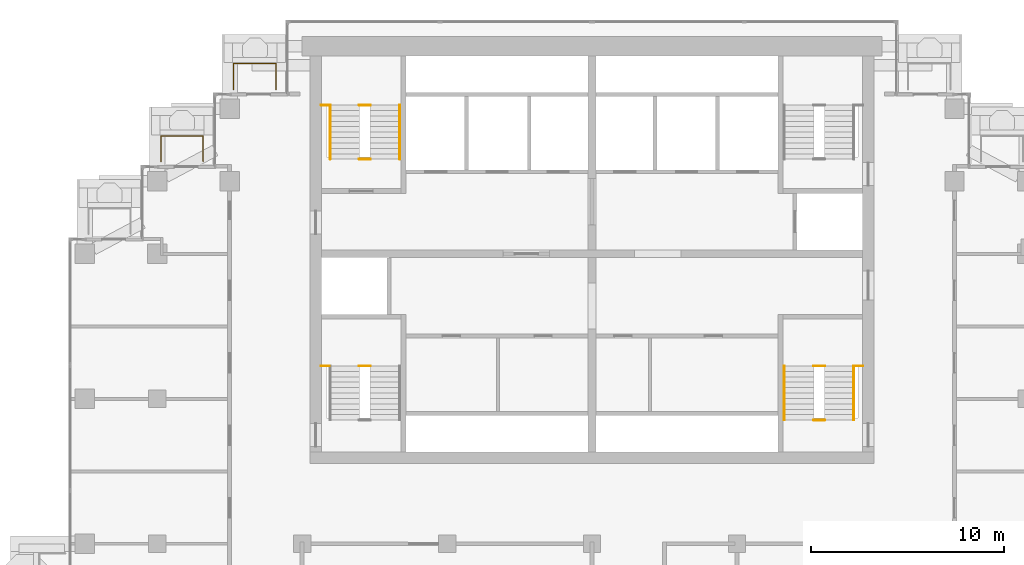
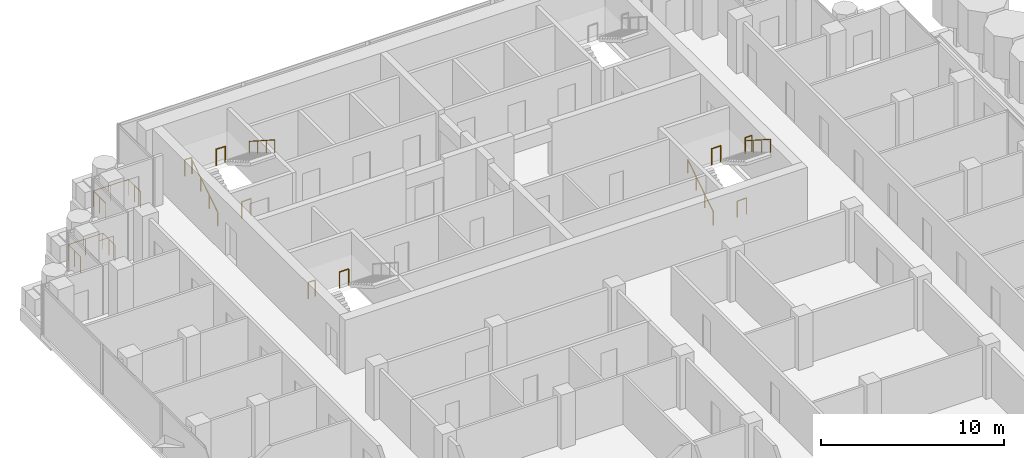
# One storey, part 17 of 19: 14 railings.
"""IFC4 building model written with IfcOpenShell, lengths in metres."""

from ifc_helpers import new_model, si_unit, direction, frame, origin, origin_2d, place, context, subcontext, project, spatial, circle, extrude, material, type_object, element, save


model = new_model("IFC4")

# Units and contexts
model_context = context("Model", 3, precision=1e-05, world=origin(), true_north=direction((0.0, 1.0)))
body_context = subcontext(model_context, "Body", "Model", "MODEL_VIEW")
ifc_project = project(units=[si_unit("LENGTHUNIT", "METRE"), si_unit("AREAUNIT", "SQUARE_METRE"), si_unit("VOLUMEUNIT", "CUBIC_METRE"), si_unit("PLANEANGLEUNIT", "RADIAN"), si_unit("MASSUNIT", "GRAM", prefix="KILO")], contexts=[model_context])

# Site, building, storey
site_placement = place(None, origin())
site = spatial("IfcSite", under=ifc_project, at=site_placement, CompositionType="ELEMENT")
building_placement = place(site_placement, origin())
building = spatial("IfcBuilding", under=site, at=building_placement, Name="Pilkhan Gate Tower", CompositionType="ELEMENT")
storey_placement = place(building_placement, frame((0.0, 0.0, 224.699951171875)))
storey = spatial("IfcBuildingStorey", under=building, at=storey_placement, Name="L58", CompositionType="ELEMENT", Elevation=224.699951171875)

# Railings
ifc_material_1 = material(Name="Pale anodised aluminium posts, laminated glass infill", Category="aluminium")
railing_type_1 = type_object("IfcRailingType", Name="Balcony guard G1", PredefinedType="BALUSTRADE", material=ifc_material_1)
railing_1_placement = place(storey_placement, frame((56.449951171875, 91.0, 0.0)))
element("IfcRailing", 1, at=railing_1_placement, inside=storey, type_object=railing_type_1, Name="Balcony guard L58 N", PredefinedType="BALUSTRADE", context=body_context, shape_type="SweptSolid", body=[
    extrude(circle(Radius=0.02392578125, at=origin_2d()), frame((0.0, 0.0, 1.076171875), z_axis=(0.0, 1.0, 0.0), x_axis=(-1.0, 0.0, 0.0)), (0.0, 0.0, 1.0), 1.35009765625),
    extrude(circle(Radius=0.02392578125, at=origin_2d()), frame((0.0, 1.35009765625, 1.076171875), z_axis=(1.0, 0.0, 0.0), x_axis=(0.0, 1.0, 0.0)), (0.0, 0.0, 1.0), 2.199951171875),
    extrude(circle(Radius=0.02392578125, at=origin_2d()), frame((2.199951171875, 1.35009765625, 1.076171875), z_axis=(0.0, -1.0, 0.0), x_axis=(1.0, 0.0, 0.0)), (0.0, 0.0, 1.0), 1.35009765625),
    extrude(circle(Radius=0.02099609375, at=origin_2d()), origin(), (0.0, 0.0, 1.0), 1.052001953125),
    extrude(circle(Radius=0.02099609375, at=origin_2d()), frame((0.0, 0.675048828125, 0.0)), (0.0, 0.0, 1.0), 1.052001953125),
    extrude(circle(Radius=0.02099609375, at=origin_2d()), frame((0.0, 1.35009765625, 0.0)), (0.0, 0.0, 1.0), 1.052001953125),
    extrude(circle(Radius=0.02099609375, at=origin_2d()), frame((1.10009765625, 1.35009765625, 0.0)), (0.0, 0.0, 1.0), 1.052001953125),
    extrude(circle(Radius=0.02099609375, at=origin_2d()), frame((2.199951171875, 1.35009765625, 0.0)), (0.0, 0.0, 1.0), 1.052001953125),
    extrude(circle(Radius=0.02099609375, at=origin_2d()), frame((2.199951171875, 0.675048828125, 0.0)), (0.0, 0.0, 1.0), 1.052001953125),
    extrude(circle(Radius=0.02099609375, at=origin_2d()), frame((2.199951171875, 0.0, 0.0)), (0.0, 0.0, 1.0), 1.052001953125),
])
railing_2_placement = place(storey_placement, frame((52.699951171875, 87.27001953125, 0.0)))
element("IfcRailing", 2, at=railing_2_placement, inside=storey, type_object=railing_type_1, Name="Balcony guard L58 N", PredefinedType="BALUSTRADE", context=body_context, shape_type="SweptSolid", body=[
    extrude(circle(Radius=0.02392578125, at=origin_2d()), frame((0.0, 0.0, 1.076171875), z_axis=(0.0, 1.0, 0.0), x_axis=(-1.0, 0.0, 0.0)), (0.0, 0.0, 1.0), 1.330078125),
    extrude(circle(Radius=0.02392578125, at=origin_2d()), frame((0.0, 1.330078125, 1.076171875), z_axis=(1.0, 0.0, 0.0), x_axis=(0.0, 1.0, 0.0)), (0.0, 0.0, 1.0), 2.179931640625),
    extrude(circle(Radius=0.02392578125, at=origin_2d()), frame((2.179931640625, 1.330078125, 1.076171875), z_axis=(0.0, -1.0, 0.0), x_axis=(1.0, 0.0, 0.0)), (0.0, 0.0, 1.0), 1.330078125),
    extrude(circle(Radius=0.02099609375, at=origin_2d()), origin(), (0.0, 0.0, 1.0), 1.052001953125),
    extrude(circle(Radius=0.02099609375, at=origin_2d()), frame((0.0, 0.6650390625, 0.0)), (0.0, 0.0, 1.0), 1.052001953125),
    extrude(circle(Radius=0.02099609375, at=origin_2d()), frame((0.0, 1.330078125, 0.0)), (0.0, 0.0, 1.0), 1.052001953125),
    extrude(circle(Radius=0.02099609375, at=origin_2d()), frame((1.08984375, 1.330078125, 0.0)), (0.0, 0.0, 1.0), 1.052001953125),
    extrude(circle(Radius=0.02099609375, at=origin_2d()), frame((2.179931640625, 1.330078125, 0.0)), (0.0, 0.0, 1.0), 1.052001953125),
    extrude(circle(Radius=0.02099609375, at=origin_2d()), frame((2.179931640625, 0.6650390625, 0.0)), (0.0, 0.0, 1.0), 1.052001953125),
    extrude(circle(Radius=0.02099609375, at=origin_2d()), frame((2.179931640625, 0.0, 0.0)), (0.0, 0.0, 1.0), 1.052001953125),
])
ifc_material_2 = material(Name="Black powder-coated steel tube", Category="steel")
railing_type_2 = type_object("IfcRailingType", Name="Stair handrail HR1", PredefinedType="HANDRAIL", material=ifc_material_2)
railing_3_placement = place(storey_placement, frame((84.949951171875, 73.89990234375, 0.0)))
element("IfcRailing", 3, at=railing_3_placement, inside=storey, type_object=railing_type_2, Name="Stair ST1 handrail L58", PredefinedType="HANDRAIL", context=body_context, shape_type="SweptSolid", body=[
    extrude(circle(Radius=0.02392578125, at=origin_2d()), frame((0.0, 0.0, 0.8759765625), z_axis=(0.0, 0.841176092368, 0.540761298198), x_axis=(-1.0, 0.0, 0.0)), (0.0, 0.0, 1.0), 3.32861328125),
    extrude(circle(Radius=0.02099609375, at=origin_2d()), origin(), (0.0, 0.0, 1.0), 0.851806640625),
    extrude(circle(Radius=0.02099609375, at=origin_2d()), frame((0.0, 0.933349609375, 0.60009765625)), (0.0, 0.0, 1.0), 0.851806640625),
    extrude(circle(Radius=0.02099609375, at=origin_2d()), frame((0.0, 1.86669921875, 1.199951171875)), (0.0, 0.0, 1.0), 0.851806640625),
    extrude(circle(Radius=0.02099609375, at=origin_2d()), frame((0.0, 2.800048828125, 1.800048828125)), (0.0, 0.0, 1.0), 0.851806640625),
])
railing_4_placement = place(storey_placement, frame((88.550048828125, 76.699951171875, 1.800048828125)))
element("IfcRailing", 4, at=railing_4_placement, inside=storey, type_object=railing_type_2, Name="Stair ST1 handrail L58", PredefinedType="HANDRAIL", context=body_context, shape_type="SweptSolid", body=[
    extrude(circle(Radius=0.02392578125, at=origin_2d()), frame((0.0, 0.0, 0.8759765625), z_axis=(0.0, -0.841176092368, 0.540761298198), x_axis=(1.0, 0.0, 0.0)), (0.0, 0.0, 1.0), 3.32861328125),
    extrude(circle(Radius=0.02099609375, at=origin_2d()), origin(), (0.0, 0.0, 1.0), 0.851806640625),
    extrude(circle(Radius=0.02099609375, at=origin_2d()), frame((0.0, -0.933349609375, 0.60009765625)), (0.0, 0.0, 1.0), 0.851806640625),
    extrude(circle(Radius=0.02099609375, at=origin_2d()), frame((0.0, -1.86669921875, 1.199951171875)), (0.0, 0.0, 1.0), 0.851806640625),
    extrude(circle(Radius=0.02099609375, at=origin_2d()), frame((0.0, -2.800048828125, 1.800048828125)), (0.0, 0.0, 1.0), 0.851806640625),
])
railing_5_placement = place(storey_placement, frame((61.449951171875, 87.39990234375, 0.0)))
element("IfcRailing", 5, at=railing_5_placement, inside=storey, type_object=railing_type_2, Name="Stair ST3 handrail L58", PredefinedType="HANDRAIL", context=body_context, shape_type="SweptSolid", body=[
    extrude(circle(Radius=0.02392578125, at=origin_2d()), frame((0.0, 0.0, 0.8759765625), z_axis=(0.0, 0.841176092368, 0.540761298198), x_axis=(-1.0, 0.0, 0.0)), (0.0, 0.0, 1.0), 3.32861328125),
    extrude(circle(Radius=0.02099609375, at=origin_2d()), origin(), (0.0, 0.0, 1.0), 0.851806640625),
    extrude(circle(Radius=0.02099609375, at=origin_2d()), frame((0.0, 0.933349609375, 0.60009765625)), (0.0, 0.0, 1.0), 0.851806640625),
    extrude(circle(Radius=0.02099609375, at=origin_2d()), frame((0.0, 1.86669921875, 1.199951171875)), (0.0, 0.0, 1.0), 0.851806640625),
    extrude(circle(Radius=0.02099609375, at=origin_2d()), frame((0.0, 2.800048828125, 1.800048828125)), (0.0, 0.0, 1.0), 0.851806640625),
])
railing_6_placement = place(storey_placement, frame((65.050048828125, 90.199951171875, 1.800048828125)))
element("IfcRailing", 6, at=railing_6_placement, inside=storey, type_object=railing_type_2, Name="Stair ST3 handrail L58", PredefinedType="HANDRAIL", context=body_context, shape_type="SweptSolid", body=[
    extrude(circle(Radius=0.02392578125, at=origin_2d()), frame((0.0, 0.0, 0.8759765625), z_axis=(0.0, -0.841176092368, 0.540761298198), x_axis=(1.0, 0.0, 0.0)), (0.0, 0.0, 1.0), 3.32861328125),
    extrude(circle(Radius=0.02099609375, at=origin_2d()), origin(), (0.0, 0.0, 1.0), 0.851806640625),
    extrude(circle(Radius=0.02099609375, at=origin_2d()), frame((0.0, -0.933349609375, 0.60009765625)), (0.0, 0.0, 1.0), 0.851806640625),
    extrude(circle(Radius=0.02099609375, at=origin_2d()), frame((0.0, -1.86669921875, 1.199951171875)), (0.0, 0.0, 1.0), 0.851806640625),
    extrude(circle(Radius=0.02099609375, at=origin_2d()), frame((0.0, -2.800048828125, 1.800048828125)), (0.0, 0.0, 1.0), 0.851806640625),
])
ifc_material_3 = material(Name="Black powder-coated steel balusters", Category="steel")
railing_type_3 = type_object("IfcRailingType", Name="Stair well guard G3", PredefinedType="GUARDRAIL", material=ifc_material_3)
railing_7_placement = place(storey_placement, frame((88.580078125, 76.699951171875, 1.800048828125)))
element("IfcRailing", 7, at=railing_7_placement, inside=storey, type_object=railing_type_3, Name="Stair ST1 well guard L58", PredefinedType="GUARDRAIL", context=body_context, shape_type="SweptSolid", body=[
    extrude(circle(Radius=0.02392578125, at=origin_2d()), frame((0.0, 0.0, 1.076171875), z_axis=(1.0, 0.0, 0.0), x_axis=(0.0, 1.0, 0.0)), (0.0, 0.0, 1.0), 0.43994140625),
    extrude(circle(Radius=0.02099609375, at=origin_2d()), origin(), (0.0, 0.0, 1.0), 1.052001953125),
    extrude(circle(Radius=0.02099609375, at=origin_2d()), frame((0.43994140625, 0.0, 0.0)), (0.0, 0.0, 1.0), 1.052001953125),
])
for number, where, name in (
    (8, (86.4599609375, 73.89990234375, 0.0), "Stair ST1 well guard L58"),
    (9, (86.4599609375, 76.699951171875, 1.800048828125), "Stair ST1 well guard L58"),
):
    element("IfcRailing", number, at=place(storey_placement, frame(where)), inside=storey, type_object=railing_type_3, Name=name, PredefinedType="GUARDRAIL", context=body_context, shape_type="SweptSolid", body=[
        extrude(circle(Radius=0.02392578125, at=origin_2d()), frame((0.0, 0.0, 1.076171875), z_axis=(1.0, 0.0, 0.0), x_axis=(0.0, 1.0, 0.0)), (0.0, 0.0, 1.0), 0.580078125),
        extrude(circle(Radius=0.02099609375, at=origin_2d()), origin(), (0.0, 0.0, 1.0), 1.052001953125),
        extrude(circle(Radius=0.02099609375, at=origin_2d()), frame((0.580078125, 0.0, 0.0)), (0.0, 0.0, 1.0), 1.052001953125),
    ])
railing_8_placement = place(storey_placement, frame((60.97998046875, 76.699951171875, 1.800048828125)))
element("IfcRailing", 10, at=railing_8_placement, inside=storey, type_object=railing_type_3, Name="Stair ST2 well guard L58", PredefinedType="GUARDRAIL", context=body_context, shape_type="SweptSolid", body=[
    extrude(circle(Radius=0.02392578125, at=origin_2d()), frame((0.0, 0.0, 1.076171875), z_axis=(1.0, 0.0, 0.0), x_axis=(0.0, 1.0, 0.0)), (0.0, 0.0, 1.0), 0.43994140625),
    extrude(circle(Radius=0.02099609375, at=origin_2d()), origin(), (0.0, 0.0, 1.0), 1.052001953125),
    extrude(circle(Radius=0.02099609375, at=origin_2d()), frame((0.43994140625, 0.0, 0.0)), (0.0, 0.0, 1.0), 1.052001953125),
])
railing_9_placement = place(storey_placement, frame((62.9599609375, 76.699951171875, 1.800048828125)))
element("IfcRailing", 11, at=railing_9_placement, inside=storey, type_object=railing_type_3, Name="Stair ST2 well guard L58", PredefinedType="GUARDRAIL", context=body_context, shape_type="SweptSolid", body=[
    extrude(circle(Radius=0.02392578125, at=origin_2d()), frame((0.0, 0.0, 1.076171875), z_axis=(1.0, 0.0, 0.0), x_axis=(0.0, 1.0, 0.0)), (0.0, 0.0, 1.0), 0.580078125),
    extrude(circle(Radius=0.02099609375, at=origin_2d()), origin(), (0.0, 0.0, 1.0), 1.052001953125),
    extrude(circle(Radius=0.02099609375, at=origin_2d()), frame((0.580078125, 0.0, 0.0)), (0.0, 0.0, 1.0), 1.052001953125),
])
railing_10_placement = place(storey_placement, frame((60.97998046875, 90.199951171875, 1.800048828125)))
element("IfcRailing", 12, at=railing_10_placement, inside=storey, type_object=railing_type_3, Name="Stair ST3 well guard L58", PredefinedType="GUARDRAIL", context=body_context, shape_type="SweptSolid", body=[
    extrude(circle(Radius=0.02392578125, at=origin_2d()), frame((0.0, 0.0, 1.076171875), z_axis=(1.0, 0.0, 0.0), x_axis=(0.0, 1.0, 0.0)), (0.0, 0.0, 1.0), 0.43994140625),
    extrude(circle(Radius=0.02099609375, at=origin_2d()), origin(), (0.0, 0.0, 1.0), 1.052001953125),
    extrude(circle(Radius=0.02099609375, at=origin_2d()), frame((0.43994140625, 0.0, 0.0)), (0.0, 0.0, 1.0), 1.052001953125),
])
for number, where, name in (
    (13, (62.9599609375, 87.39990234375, 0.0), "Stair ST3 well guard L58"),
    (14, (62.9599609375, 90.199951171875, 1.800048828125), "Stair ST3 well guard L58"),
):
    element("IfcRailing", number, at=place(storey_placement, frame(where)), inside=storey, type_object=railing_type_3, Name=name, PredefinedType="GUARDRAIL", context=body_context, shape_type="SweptSolid", body=[
        extrude(circle(Radius=0.02392578125, at=origin_2d()), frame((0.0, 0.0, 1.076171875), z_axis=(1.0, 0.0, 0.0), x_axis=(0.0, 1.0, 0.0)), (0.0, 0.0, 1.0), 0.580078125),
        extrude(circle(Radius=0.02099609375, at=origin_2d()), origin(), (0.0, 0.0, 1.0), 1.052001953125),
        extrude(circle(Radius=0.02099609375, at=origin_2d()), frame((0.580078125, 0.0, 0.0)), (0.0, 0.0, 1.0), 1.052001953125),
    ])

save(model, "model.ifc")
